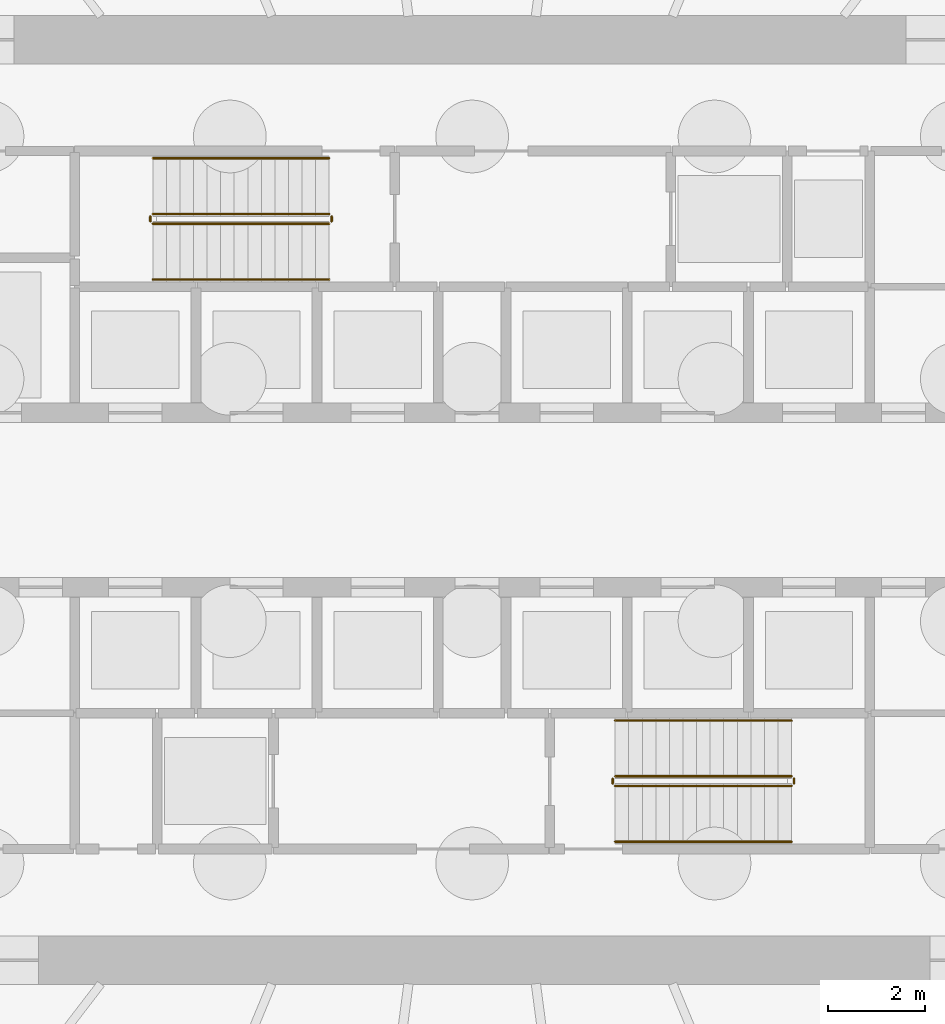
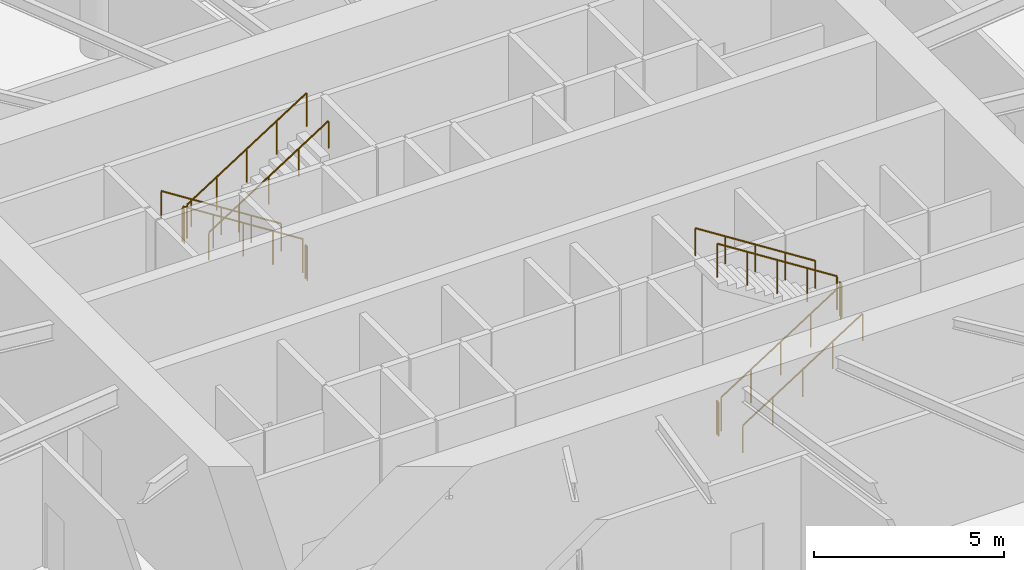
# One storey, part 25 of 28: 12 railings.
"""IFC4 building model written with IfcOpenShell, lengths in metres."""

from ifc_helpers import new_model, si_unit, direction, frame, origin, origin_2d, place, context, subcontext, project, spatial, circle, extrude, material, type_object, element, save


model = new_model("IFC4")

# Units and contexts
model_context = context("Model", 3, precision=1e-05, world=origin(), true_north=direction((0.0, 1.0)))
body_context = subcontext(model_context, "Body", "Model", "MODEL_VIEW")
ifc_project = project(units=[si_unit("LENGTHUNIT", "METRE"), si_unit("AREAUNIT", "SQUARE_METRE"), si_unit("VOLUMEUNIT", "CUBIC_METRE"), si_unit("PLANEANGLEUNIT", "RADIAN"), si_unit("MASSUNIT", "GRAM", prefix="KILO")], contexts=[model_context])

# Site, building, storey
site_placement = place(None, origin())
site = spatial("IfcSite", under=ifc_project, at=site_placement, CompositionType="ELEMENT")
building_placement = place(site_placement, origin())
building = spatial("IfcBuilding", under=site, at=building_placement, Name="Spindrift Exchange Tower", CompositionType="ELEMENT")
storey_placement = place(building_placement, origin())
storey = spatial("IfcBuildingStorey", under=building, at=storey_placement, Name="L00", CompositionType="ELEMENT", Elevation=0.0)

# Railings
ifc_material_1 = material(Name="Steel balustrade", Category="steel")
railing_type_1 = type_object("IfcRailingType", Name="RL-STAIR-GUARD", PredefinedType="GUARDRAIL", material=ifc_material_1)
railing_1_placement = place(storey_placement, frame((49.050048828125, 53.89990234375, 0.178466796875)))
element("IfcRailing", 1, at=railing_1_placement, inside=storey, type_object=railing_type_1, Name="L00 ST1 stair guard 1", PredefinedType="GUARDRAIL", context=body_context, shape_type="SweptSolid", body=[
    extrude(circle(Radius=0.02392578125, at=origin_2d()), frame((0.0, 0.0, 1.076171875), z_axis=(-0.843127859045, 0.0, 0.537713132908), x_axis=(0.0, -1.0, 0.0)), (0.0, 0.0, 1.0), 4.3173828125),
    extrude(circle(Radius=0.02099609375, at=origin_2d()), origin(), (0.0, 0.0, 1.0), 1.052001953125),
    extrude(circle(Radius=0.02099609375, at=origin_2d()), frame((-0.91015625, 0.0, 0.580322265625)), (0.0, 0.0, 1.0), 1.052001953125),
    extrude(circle(Radius=0.02099609375, at=origin_2d()), frame((-1.820068359375, 0.0, 1.16064453125)), (0.0, 0.0, 1.0), 1.052001953125),
    extrude(circle(Radius=0.02099609375, at=origin_2d()), frame((-2.72998046875, 0.0, 1.7412109375)), (0.0, 0.0, 1.0), 1.052001953125),
    extrude(circle(Radius=0.02099609375, at=origin_2d()), frame((-3.64013671875, 0.0, 2.321533203125)), (0.0, 0.0, 1.0), 1.052001953125),
])
railing_2_placement = place(storey_placement, frame((45.360107421875, 53.85009765625, 2.5)))
element("IfcRailing", 2, at=railing_2_placement, inside=storey, type_object=railing_type_1, Name="L00 ST1 stair guard 2", PredefinedType="GUARDRAIL", context=body_context, shape_type="SweptSolid", body=[
    extrude(circle(Radius=0.02392578125, at=origin_2d()), frame((0.0, 0.0, 1.076171875), z_axis=(0.0, -1.0, 0.0), x_axis=(1.0, 0.0, 0.0)), (0.0, 0.0, 1.0), 0.10009765625),
    extrude(circle(Radius=0.02099609375, at=origin_2d()), origin(), (0.0, 0.0, 1.0), 1.052001953125),
    extrude(circle(Radius=0.02099609375, at=origin_2d()), frame((0.0, -0.10009765625, 0.0)), (0.0, 0.0, 1.0), 1.052001953125),
])
railing_3_placement = place(storey_placement, frame((45.409912109375, 53.699951171875, 2.678466796875)))
element("IfcRailing", 3, at=railing_3_placement, inside=storey, type_object=railing_type_1, Name="L00 ST1 stair guard 3", PredefinedType="GUARDRAIL", context=body_context, shape_type="SweptSolid", body=[
    extrude(circle(Radius=0.02392578125, at=origin_2d()), frame((0.0, 0.0, 1.076171875), z_axis=(0.843127859045, 0.0, 0.537713132908), x_axis=(0.0, 1.0, 0.0)), (0.0, 0.0, 1.0), 4.3173828125),
    extrude(circle(Radius=0.02099609375, at=origin_2d()), origin(), (0.0, 0.0, 1.0), 1.052001953125),
    extrude(circle(Radius=0.02099609375, at=origin_2d()), frame((0.91015625, 0.0, 0.580322265625)), (0.0, 0.0, 1.0), 1.052001953125),
    extrude(circle(Radius=0.02099609375, at=origin_2d()), frame((1.820068359375, 0.0, 1.16064453125)), (0.0, 0.0, 1.0), 1.052001953125),
    extrude(circle(Radius=0.02099609375, at=origin_2d()), frame((2.72998046875, 0.0, 1.7412109375)), (0.0, 0.0, 1.0), 1.052001953125),
    extrude(circle(Radius=0.02099609375, at=origin_2d()), frame((3.64013671875, 0.0, 2.321533203125)), (0.0, 0.0, 1.0), 1.052001953125),
])
railing_4_placement = place(storey_placement, frame((49.10009765625, 53.85009765625, 0.0)))
element("IfcRailing", 4, at=railing_4_placement, inside=storey, type_object=railing_type_1, Name="L00 ST1 stair guard 4", PredefinedType="GUARDRAIL", context=body_context, shape_type="SweptSolid", body=[
    extrude(circle(Radius=0.02392578125, at=origin_2d()), frame((0.0, 0.0, 1.076171875), z_axis=(0.0, -1.0, 0.0), x_axis=(1.0, 0.0, 0.0)), (0.0, 0.0, 1.0), 0.10009765625),
    extrude(circle(Radius=0.02099609375, at=origin_2d()), origin(), (0.0, 0.0, 1.0), 1.052001953125),
    extrude(circle(Radius=0.02099609375, at=origin_2d()), frame((0.0, -0.10009765625, 0.0)), (0.0, 0.0, 1.0), 1.052001953125),
])
railing_5_placement = place(storey_placement, frame((54.949951171875, 42.10009765625, 0.178466796875)))
element("IfcRailing", 5, at=railing_5_placement, inside=storey, type_object=railing_type_1, Name="L00 ST2 stair guard 1", PredefinedType="GUARDRAIL", context=body_context, shape_type="SweptSolid", body=[
    extrude(circle(Radius=0.02392578125, at=origin_2d()), frame((0.0, 0.0, 1.076171875), z_axis=(0.843127859045, 0.0, 0.537713132908), x_axis=(0.0, 1.0, 0.0)), (0.0, 0.0, 1.0), 4.3173828125),
    extrude(circle(Radius=0.02099609375, at=origin_2d()), origin(), (0.0, 0.0, 1.0), 1.052001953125),
    extrude(circle(Radius=0.02099609375, at=origin_2d()), frame((0.91015625, 0.0, 0.580322265625)), (0.0, 0.0, 1.0), 1.052001953125),
    extrude(circle(Radius=0.02099609375, at=origin_2d()), frame((1.820068359375, 0.0, 1.16064453125)), (0.0, 0.0, 1.0), 1.052001953125),
    extrude(circle(Radius=0.02099609375, at=origin_2d()), frame((2.72998046875, 0.0, 1.7412109375)), (0.0, 0.0, 1.0), 1.052001953125),
    extrude(circle(Radius=0.02099609375, at=origin_2d()), frame((3.64013671875, 0.0, 2.321533203125)), (0.0, 0.0, 1.0), 1.052001953125),
])
railing_6_placement = place(storey_placement, frame((58.639892578125, 42.14990234375, 2.5)))
element("IfcRailing", 6, at=railing_6_placement, inside=storey, type_object=railing_type_1, Name="L00 ST2 stair guard 2", PredefinedType="GUARDRAIL", context=body_context, shape_type="SweptSolid", body=[
    extrude(circle(Radius=0.02392578125, at=origin_2d()), frame((0.0, 0.0, 1.076171875), z_axis=(0.0, 1.0, 0.0), x_axis=(-1.0, 0.0, 0.0)), (0.0, 0.0, 1.0), 0.10009765625),
    extrude(circle(Radius=0.02099609375, at=origin_2d()), origin(), (0.0, 0.0, 1.0), 1.052001953125),
    extrude(circle(Radius=0.02099609375, at=origin_2d()), frame((0.0, 0.10009765625, 0.0)), (0.0, 0.0, 1.0), 1.052001953125),
])
railing_7_placement = place(storey_placement, frame((58.590087890625, 42.300048828125, 2.678466796875)))
element("IfcRailing", 7, at=railing_7_placement, inside=storey, type_object=railing_type_1, Name="L00 ST2 stair guard 3", PredefinedType="GUARDRAIL", context=body_context, shape_type="SweptSolid", body=[
    extrude(circle(Radius=0.02392578125, at=origin_2d()), frame((0.0, 0.0, 1.076171875), z_axis=(-0.843127859045, 0.0, 0.537713132908), x_axis=(0.0, -1.0, 0.0)), (0.0, 0.0, 1.0), 4.3173828125),
    extrude(circle(Radius=0.02099609375, at=origin_2d()), origin(), (0.0, 0.0, 1.0), 1.052001953125),
    extrude(circle(Radius=0.02099609375, at=origin_2d()), frame((-0.91015625, 0.0, 0.580322265625)), (0.0, 0.0, 1.0), 1.052001953125),
    extrude(circle(Radius=0.02099609375, at=origin_2d()), frame((-1.820068359375, 0.0, 1.16064453125)), (0.0, 0.0, 1.0), 1.052001953125),
    extrude(circle(Radius=0.02099609375, at=origin_2d()), frame((-2.72998046875, 0.0, 1.7412109375)), (0.0, 0.0, 1.0), 1.052001953125),
    extrude(circle(Radius=0.02099609375, at=origin_2d()), frame((-3.64013671875, 0.0, 2.321533203125)), (0.0, 0.0, 1.0), 1.052001953125),
])
railing_8_placement = place(storey_placement, frame((54.89990234375, 42.14990234375, 0.0)))
element("IfcRailing", 8, at=railing_8_placement, inside=storey, type_object=railing_type_1, Name="L00 ST2 stair guard 4", PredefinedType="GUARDRAIL", context=body_context, shape_type="SweptSolid", body=[
    extrude(circle(Radius=0.02392578125, at=origin_2d()), frame((0.0, 0.0, 1.076171875), z_axis=(0.0, 1.0, 0.0), x_axis=(-1.0, 0.0, 0.0)), (0.0, 0.0, 1.0), 0.10009765625),
    extrude(circle(Radius=0.02099609375, at=origin_2d()), origin(), (0.0, 0.0, 1.0), 1.052001953125),
    extrude(circle(Radius=0.02099609375, at=origin_2d()), frame((0.0, 0.10009765625, 0.0)), (0.0, 0.0, 1.0), 1.052001953125),
])
ifc_material_2 = material(Name="Steel tubular handrail", Category="steel")
railing_type_2 = type_object("IfcRailingType", Name="RL-STAIR-HAND", PredefinedType="HANDRAIL", material=ifc_material_2)
railing_9_placement = place(storey_placement, frame((49.050048828125, 55.050048828125, 0.178466796875)))
element("IfcRailing", 9, at=railing_9_placement, inside=storey, type_object=railing_type_2, Name="L00 ST1 stair handrail 1", PredefinedType="HANDRAIL", context=body_context, shape_type="SweptSolid", body=[
    extrude(circle(Radius=0.02392578125, at=origin_2d()), frame((0.0, 0.0, 0.8759765625), z_axis=(-0.843127859045, 0.0, 0.537713132908), x_axis=(0.0, -1.0, 0.0)), (0.0, 0.0, 1.0), 4.3173828125),
    extrude(circle(Radius=0.02099609375, at=origin_2d()), origin(), (0.0, 0.0, 1.0), 0.851806640625),
    extrude(circle(Radius=0.02099609375, at=origin_2d()), frame((-0.91015625, 0.0, 0.580322265625)), (0.0, 0.0, 1.0), 0.851806640625),
    extrude(circle(Radius=0.02099609375, at=origin_2d()), frame((-1.820068359375, 0.0, 1.16064453125)), (0.0, 0.0, 1.0), 0.851806640625),
    extrude(circle(Radius=0.02099609375, at=origin_2d()), frame((-2.72998046875, 0.0, 1.7412109375)), (0.0, 0.0, 1.0), 0.851806640625),
    extrude(circle(Radius=0.02099609375, at=origin_2d()), frame((-3.64013671875, 0.0, 2.321533203125)), (0.0, 0.0, 1.0), 0.851806640625),
])
for number, where, name in (
    (10, (45.409912109375, 52.550048828125, 2.678466796875), "L00 ST1 stair handrail 2"),
    (11, (54.949951171875, 40.949951171875, 0.178466796875), "L00 ST2 stair handrail 1"),
):
    element("IfcRailing", number, at=place(storey_placement, frame(where)), inside=storey, type_object=railing_type_2, Name=name, PredefinedType="HANDRAIL", context=body_context, shape_type="SweptSolid", body=[
        extrude(circle(Radius=0.02392578125, at=origin_2d()), frame((0.0, 0.0, 0.8759765625), z_axis=(0.843127859045, 0.0, 0.537713132908), x_axis=(0.0, 1.0, 0.0)), (0.0, 0.0, 1.0), 4.3173828125),
        extrude(circle(Radius=0.02099609375, at=origin_2d()), origin(), (0.0, 0.0, 1.0), 0.851806640625),
        extrude(circle(Radius=0.02099609375, at=origin_2d()), frame((0.91015625, 0.0, 0.580322265625)), (0.0, 0.0, 1.0), 0.851806640625),
        extrude(circle(Radius=0.02099609375, at=origin_2d()), frame((1.820068359375, 0.0, 1.16064453125)), (0.0, 0.0, 1.0), 0.851806640625),
        extrude(circle(Radius=0.02099609375, at=origin_2d()), frame((2.72998046875, 0.0, 1.7412109375)), (0.0, 0.0, 1.0), 0.851806640625),
        extrude(circle(Radius=0.02099609375, at=origin_2d()), frame((3.64013671875, 0.0, 2.321533203125)), (0.0, 0.0, 1.0), 0.851806640625),
    ])
railing_10_placement = place(storey_placement, frame((58.590087890625, 43.449951171875, 2.678466796875)))
element("IfcRailing", 12, at=railing_10_placement, inside=storey, type_object=railing_type_2, Name="L00 ST2 stair handrail 2", PredefinedType="HANDRAIL", context=body_context, shape_type="SweptSolid", body=[
    extrude(circle(Radius=0.02392578125, at=origin_2d()), frame((0.0, 0.0, 0.8759765625), z_axis=(-0.843127859045, 0.0, 0.537713132908), x_axis=(0.0, -1.0, 0.0)), (0.0, 0.0, 1.0), 4.3173828125),
    extrude(circle(Radius=0.02099609375, at=origin_2d()), origin(), (0.0, 0.0, 1.0), 0.851806640625),
    extrude(circle(Radius=0.02099609375, at=origin_2d()), frame((-0.91015625, 0.0, 0.580322265625)), (0.0, 0.0, 1.0), 0.851806640625),
    extrude(circle(Radius=0.02099609375, at=origin_2d()), frame((-1.820068359375, 0.0, 1.16064453125)), (0.0, 0.0, 1.0), 0.851806640625),
    extrude(circle(Radius=0.02099609375, at=origin_2d()), frame((-2.72998046875, 0.0, 1.7412109375)), (0.0, 0.0, 1.0), 0.851806640625),
    extrude(circle(Radius=0.02099609375, at=origin_2d()), frame((-3.64013671875, 0.0, 2.321533203125)), (0.0, 0.0, 1.0), 0.851806640625),
])

save(model, "model.ifc")
